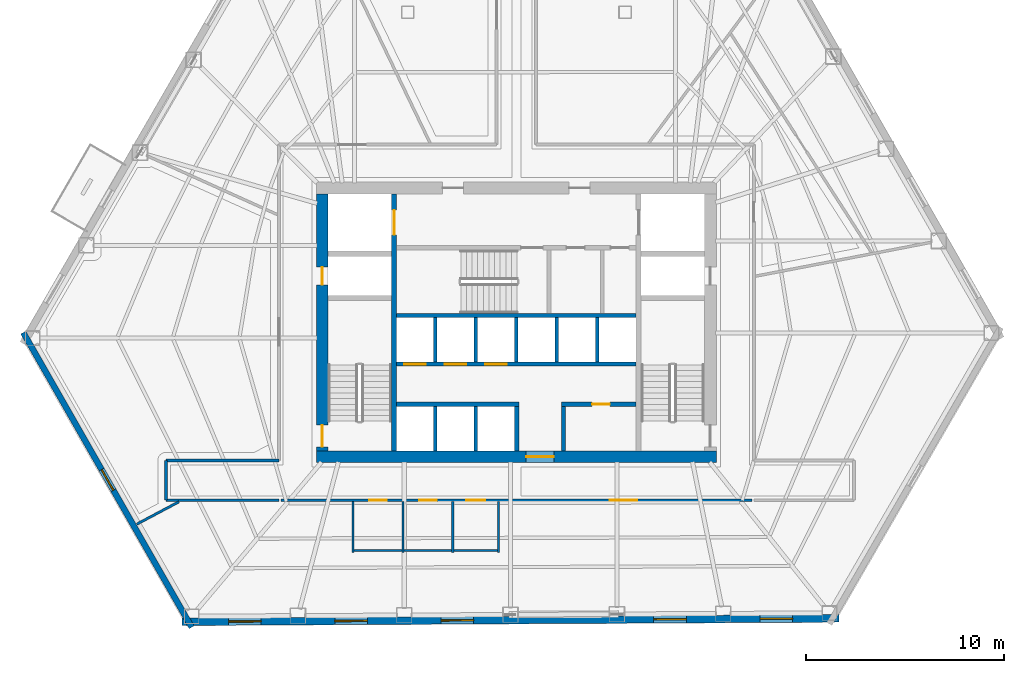
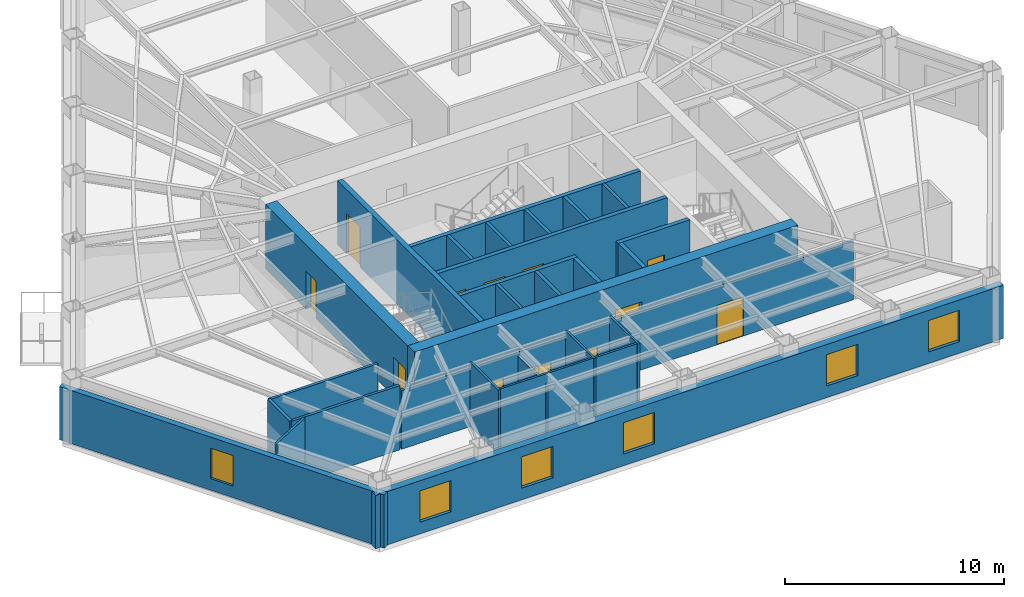
# One storey, part 6 of 11: 28 walls, 12 doors, 6 windows, 18 openings.
"""IFC4 building model written with IfcOpenShell, lengths in metres."""

from ifc_helpers import new_model, si_unit, direction, frame, frame_2d, origin, place, context, subcontext, project, spatial, rectangle, extrude, material, layer, layer_set, type_object, element, fill, save


model = new_model("IFC4")

# Units and contexts
model_context = context("Model", 3, precision=1e-05, world=origin(), true_north=direction((0.0, 1.0)))
body_context = subcontext(model_context, "Body", "Model", "MODEL_VIEW")
ifc_project = project(units=[si_unit("LENGTHUNIT", "METRE"), si_unit("AREAUNIT", "SQUARE_METRE"), si_unit("VOLUMEUNIT", "CUBIC_METRE"), si_unit("PLANEANGLEUNIT", "RADIAN"), si_unit("MASSUNIT", "GRAM", prefix="KILO")], contexts=[model_context])

# Site, building, storey
site_placement = place(None, origin())
site = spatial("IfcSite", under=ifc_project, at=site_placement, CompositionType="ELEMENT")
building_placement = place(site_placement, origin())
building = spatial("IfcBuilding", under=site, at=building_placement, Name="Kavelnor Concourse Tower", CompositionType="ELEMENT")
storey_placement = place(building_placement, frame((0.0, 0.0, 9.85009765625)))
storey = spatial("IfcBuildingStorey", under=building, at=storey_placement, Name="L02", CompositionType="ELEMENT", Elevation=9.85009765625)

# Wall, opening, door
ifc_material_1 = material(Name="Concrete C60/75", Category="concrete")
ifc_layer_1 = layer(ifc_material_1, 0.60009765625, Name="Concrete C60/75")
ifc_layer_set_1 = layer_set([ifc_layer_1], Name="Concrete C60/75")
wall_type_1 = type_object("IfcWallType", Name="WL-CORE-Z1-600", PredefinedType="SOLIDWALL", material=ifc_layer_set_1)
wall_1_placement = place(storey_placement, frame((27.8798828125, 9.300048828125, 0.0), z_axis=(0.0, 0.0, 1.0), x_axis=(1.0, 0.0, 0.0)))
wall_1 = element("IfcWall", 1, at=wall_1_placement, inside=storey, type_object=wall_type_1, Name="L02 Central Core South Shear Wall", PredefinedType="SOLIDWALL", context=body_context, shape_type="SweptSolid", body=[
    extrude(rectangle(XDim=20.240234375, YDim=0.60009765625, at=frame_2d((10.1201171875, 0.0))), origin(), (0.0, 0.0, 1.0), 3.58984375),
])
opening_1_placement = place(wall_1_placement, frame((10.6201171875, 0.0, 0.0)))
opening_1 = element("IfcOpeningElement", 2, at=opening_1_placement, cuts=wall_1, Name="Opening SD-140", PredefinedType="OPENING", context=body_context, shape_type="SweptSolid", body=[
    extrude(rectangle(XDim=1.39990234375, YDim=2.199951171875, at=frame_2d((0.699951171875, 1.10009765625))), frame((0.0, 0.31005859375, 0.0), z_axis=(0.0, -1.0, 0.0), x_axis=(1.0, 0.0, 0.0)), (0.0, 0.0, 1.0), 0.6201171875),
])
ifc_material_2 = material(Name="Solid-core hardwood timber", Category="wood")
door_type_1 = type_object("IfcDoorType", Name="DR-SUITE-ENTRY-1400", OperationType="NOTDEFINED", PredefinedType="DOOR", material=ifc_material_2)
door_1_placement = place(opening_1_placement, origin())
door_1 = element("IfcDoor", 3, at=door_1_placement, inside=storey, type_object=door_type_1, Name="L02 Passenger Lift Lobby Entry Door", OperationType="SINGLE_SWING_LEFT", OverallHeight=2.199951171875, OverallWidth=1.39990234375, PredefinedType="DOOR", context=body_context, shape_type="SweptSolid", body=[
    extrude(rectangle(XDim=1.39990234375, YDim=2.199951171875, at=frame_2d((0.699951171875, 1.10009765625))), frame((0.0, 0.02490234375, 0.0), z_axis=(0.0, -1.0, 0.0), x_axis=(1.0, 0.0, 0.0)), (0.0, 0.0, 1.0), 0.050048828125),
])
fill(opening_1, door_1)

# Wall, openings, doors
wall_2_placement = place(storey_placement, frame((28.179931640625, 9.60009765625, 0.0), z_axis=(0.0, 0.0, 1.0), x_axis=(0.0, 1.0, 0.0)))
wall_2 = element("IfcWall", 4, at=wall_2_placement, inside=storey, type_object=wall_type_1, Name="L02 Central Core West Shear Wall", PredefinedType="SOLIDWALL", context=body_context, shape_type="SweptSolid", body=[
    extrude(rectangle(XDim=13.0, YDim=0.60009765625, at=frame_2d((6.5, 0.0))), origin(), (0.0, 0.0, 1.0), 3.58984375),
])
opening_2_placement = place(wall_2_placement, frame((0.199951171875, 0.0, 0.0)))
opening_2 = element("IfcOpeningElement", 5, at=opening_2_placement, cuts=wall_2, Name="Opening FD-110", PredefinedType="OPENING", context=body_context, shape_type="SweptSolid", body=[
    extrude(rectangle(XDim=1.10009765625, YDim=2.14990234375, at=frame_2d((0.550048828125, 1.074951171875))), frame((0.0, 0.31005859375, 0.0), z_axis=(0.0, -1.0, 0.0), x_axis=(1.0, 0.0, 0.0)), (0.0, 0.0, 1.0), 0.6201171875),
])
opening_3_placement = place(wall_2_placement, frame((8.39990234375, 0.0, 0.0)))
opening_3 = element("IfcOpeningElement", 6, at=opening_3_placement, cuts=wall_2, Name="Opening FD-090", PredefinedType="OPENING", context=body_context, shape_type="SweptSolid", body=[
    extrude(rectangle(XDim=0.89990234375, YDim=2.10009765625, at=frame_2d((0.449951171875, 1.050048828125))), frame((0.0, 0.31005859375, 0.0), z_axis=(0.0, -1.0, 0.0), x_axis=(1.0, 0.0, 0.0)), (0.0, 0.0, 1.0), 0.6201171875),
])
ifc_material_3 = material(Name="Steel Grade 350", Category="steel")
door_type_2 = type_object("IfcDoorType", Name="DR-RISER-FIRE-900", OperationType="NOTDEFINED", PredefinedType="DOOR", material=ifc_material_3)
door_2_placement = place(opening_3_placement, origin())
door_2 = element("IfcDoor", 7, at=door_2_placement, inside=storey, type_object=door_type_2, Name="L02 West Riser Access Door", OperationType="SINGLE_SWING_RIGHT", OverallHeight=2.10009765625, OverallWidth=0.89990234375, PredefinedType="DOOR", context=body_context, shape_type="SweptSolid", body=[
    extrude(rectangle(XDim=0.89990234375, YDim=2.10009765625, at=frame_2d((0.449951171875, 1.050048828125))), frame((0.0, 0.02490234375, 0.0), z_axis=(0.0, -1.0, 0.0), x_axis=(1.0, 0.0, 0.0)), (0.0, 0.0, 1.0), 0.050048828125),
])
fill(opening_3, door_2)
door_type_3 = type_object("IfcDoorType", Name="DR-STAIR-FIRE-1100", OperationType="NOTDEFINED", PredefinedType="DOOR", material=ifc_material_3)
door_3_placement = place(opening_2_placement, origin())
door_3 = element("IfcDoor", 8, at=door_3_placement, inside=storey, type_object=door_type_3, Name="L02 Stair ST1 Fire Door", OperationType="SINGLE_SWING_LEFT", OverallHeight=2.14990234375, OverallWidth=1.10009765625, PredefinedType="DOOR", context=body_context, shape_type="SweptSolid", body=[
    extrude(rectangle(XDim=1.10009765625, YDim=2.14990234375, at=frame_2d((0.550048828125, 1.074951171875))), frame((0.0, 0.02490234375, 0.0), z_axis=(0.0, -1.0, 0.0), x_axis=(1.0, 0.0, 0.0)), (0.0, 0.0, 1.0), 0.050048828125),
])
fill(opening_2, door_3)

# Wall, opening, window
ifc_material_4 = material(Name="Buff ironspot clay face brick masonry", Category="masonry")
ifc_layer_2 = layer(ifc_material_4, 0.300048828125, Name="Buff ironspot clay face brick masonry")
ifc_layer_set_2 = layer_set([ifc_layer_2], Name="Buff ironspot clay face brick masonry")
wall_type_2 = type_object("IfcWallType", Name="WL-EXT-BUFF-BRICK-FOLD-300", PredefinedType="STANDARD", material=ifc_layer_set_2)
wall_3_placement = place(storey_placement, frame((21.569091796875, 0.668212890625, 0.0), z_axis=(0.0, 0.0, 1.0), x_axis=(-0.496201687206, 0.868207282631, 0.0)))
wall_3 = element("IfcWall", 9, at=wall_3_placement, inside=storey, type_object=wall_type_2, Name="L02 Exterior Brick Facade Wall E2", PredefinedType="STANDARD", context=body_context, shape_type="SweptSolid", body=[
    extrude(rectangle(XDim=17.178955078125, YDim=0.300048828125, at=frame_2d((8.58935546875, 0.0))), origin(), (0.0, 0.0, 1.0), 2.969970703125),
])
opening_4_placement = place(wall_3_placement, frame((7.9892578125, 0.0, 0.64990234375)))
opening_4 = element("IfcOpeningElement", 10, at=opening_4_placement, cuts=wall_3, Name="Opening W-05", PredefinedType="OPENING", context=body_context, shape_type="SweptSolid", body=[
    extrude(rectangle(XDim=1.199951171875, YDim=1.699951171875, at=frame_2d((0.60009765625, 0.85009765625))), frame((0.0, 0.16015625, 0.0), z_axis=(0.0, -1.0, 0.0), x_axis=(1.0, 0.0, 0.0)), (0.0, 0.0, 1.0), 0.320068359375),
])
ifc_material_5 = material(Name="Double low-E argon insulated glazing", Category="glass")
window_type_1 = type_object("IfcWindowType", Name="WIN-FOLD-1200", PartitioningType="SINGLE_PANEL", PredefinedType="WINDOW", material=ifc_material_5)
window_1_placement = place(opening_4_placement, origin())
window_1 = element("IfcWindow", 11, at=window_1_placement, inside=storey, type_object=window_type_1, Name="L02 Chamfer-Fold Facet Window C1", OverallHeight=1.699951171875, OverallWidth=1.199951171875, PartitioningType="SINGLE_PANEL", PredefinedType="WINDOW", context=body_context, shape_type="SweptSolid", body=[
    extrude(rectangle(XDim=1.199951171875, YDim=1.699951171875, at=frame_2d((0.60009765625, 0.85009765625))), frame((0.0, 0.030029296875, 0.0), z_axis=(0.0, -1.0, 0.0), x_axis=(1.0, 0.0, 0.0)), (0.0, 0.0, 1.0), 0.06005859375),
])
fill(opening_4, window_1)

# Wall, openings, windows
ifc_material_6 = material(Name="Red-ochre clay face brick masonry", Category="masonry")
ifc_layer_3 = layer(ifc_material_6, 0.3798828125, Name="Red-ochre clay face brick masonry")
ifc_layer_set_3 = layer_set([ifc_layer_3], Name="Red-ochre clay face brick masonry")
wall_type_3 = type_object("IfcWallType", Name="WL-EXT-RED-BRICK-PIER-380", PredefinedType="STANDARD", material=ifc_layer_set_3)
wall_4_placement = place(storey_placement, frame((54.323486328125, 1.116455078125, 0.0), z_axis=(0.0, 0.0, 1.0), x_axis=(-0.999986932019, -0.005112317502, 0.0)))
wall_4 = element("IfcWall", 12, at=wall_4_placement, inside=storey, type_object=wall_type_3, Name="L02 Exterior Brick Facade Wall E3", PredefinedType="STANDARD", context=body_context, shape_type="SweptSolid", body=[
    extrude(rectangle(XDim=33.23779296875, YDim=0.3798828125, at=frame_2d((16.618896484375, 0.0))), origin(), (0.0, 0.0, 1.0), 2.969970703125),
])
opening_5_placement = place(wall_4_placement, frame((29.2421875, 0.0, 0.64990234375)))
opening_5 = element("IfcOpeningElement", 13, at=opening_5_placement, cuts=wall_4, Name="Opening W-01", PredefinedType="OPENING", context=body_context, shape_type="SweptSolid", body=[
    extrude(rectangle(XDim=1.64990234375, YDim=1.75, at=frame_2d((0.824951171875, 0.875))), frame((0.0, 0.199951171875, 0.0), z_axis=(0.0, -1.0, 0.0), x_axis=(1.0, 0.0, 0.0)), (0.0, 0.0, 1.0), 0.39990234375),
])
opening_6_placement = place(wall_4_placement, frame((23.86181640625, 0.0, 0.64990234375)))
opening_6 = element("IfcOpeningElement", 14, at=opening_6_placement, cuts=wall_4, Name="Opening W-01", PredefinedType="OPENING", context=body_context, shape_type="SweptSolid", body=[
    extrude(rectangle(XDim=1.64990234375, YDim=1.75, at=frame_2d((0.824951171875, 0.875))), frame((0.0, 0.199951171875, 0.0), z_axis=(0.0, -1.0, 0.0), x_axis=(1.0, 0.0, 0.0)), (0.0, 0.0, 1.0), 0.39990234375),
])
opening_7_placement = place(wall_4_placement, frame((18.4814453125, 0.0, 0.64990234375)))
opening_7 = element("IfcOpeningElement", 15, at=opening_7_placement, cuts=wall_4, Name="Opening W-01", PredefinedType="OPENING", context=body_context, shape_type="SweptSolid", body=[
    extrude(rectangle(XDim=1.64990234375, YDim=1.75, at=frame_2d((0.824951171875, 0.875))), frame((0.0, 0.199951171875, 0.0), z_axis=(0.0, -1.0, 0.0), x_axis=(1.0, 0.0, 0.0)), (0.0, 0.0, 1.0), 0.39990234375),
])
opening_8_placement = place(wall_4_placement, frame((7.720703125, 0.0, 0.64990234375)))
opening_8 = element("IfcOpeningElement", 16, at=opening_8_placement, cuts=wall_4, Name="Opening W-01", PredefinedType="OPENING", context=body_context, shape_type="SweptSolid", body=[
    extrude(rectangle(XDim=1.64990234375, YDim=1.75, at=frame_2d((0.824951171875, 0.875))), frame((0.0, 0.199951171875, 0.0), z_axis=(0.0, -1.0, 0.0), x_axis=(1.0, 0.0, 0.0)), (0.0, 0.0, 1.0), 0.39990234375),
])
opening_9_placement = place(wall_4_placement, frame((2.34033203125, 0.0, 0.64990234375)))
opening_9 = element("IfcOpeningElement", 17, at=opening_9_placement, cuts=wall_4, Name="Opening W-01", PredefinedType="OPENING", context=body_context, shape_type="SweptSolid", body=[
    extrude(rectangle(XDim=1.64990234375, YDim=1.75, at=frame_2d((0.824951171875, 0.875))), frame((0.0, 0.199951171875, 0.0), z_axis=(0.0, -1.0, 0.0), x_axis=(1.0, 0.0, 0.0)), (0.0, 0.0, 1.0), 0.39990234375),
])
window_type_2 = type_object("IfcWindowType", Name="WIN-PIER-Z1-1800", PartitioningType="SINGLE_PANEL", PredefinedType="WINDOW", material=ifc_material_5)
window_2_placement = place(opening_5_placement, origin())
window_2 = element("IfcWindow", 18, at=window_2_placement, inside=storey, type_object=window_type_2, Name="L02 Deep-Set Brick Pier Window F1-B0", OverallHeight=1.75, OverallWidth=1.64990234375, PartitioningType="SINGLE_PANEL", PredefinedType="WINDOW", context=body_context, shape_type="SweptSolid", body=[
    extrude(rectangle(XDim=1.64990234375, YDim=1.75, at=frame_2d((0.824951171875, 0.875))), frame((0.0, 0.030029296875, 0.0), z_axis=(0.0, -1.0, 0.0), x_axis=(1.0, 0.0, 0.0)), (0.0, 0.0, 1.0), 0.06005859375),
])
fill(opening_5, window_2)
window_3_placement = place(opening_6_placement, origin())
window_3 = element("IfcWindow", 19, at=window_3_placement, inside=storey, type_object=window_type_2, Name="L02 Deep-Set Brick Pier Window F1-B1", OverallHeight=1.75, OverallWidth=1.64990234375, PartitioningType="SINGLE_PANEL", PredefinedType="WINDOW", context=body_context, shape_type="SweptSolid", body=[
    extrude(rectangle(XDim=1.64990234375, YDim=1.75, at=frame_2d((0.824951171875, 0.875))), frame((0.0, 0.030029296875, 0.0), z_axis=(0.0, -1.0, 0.0), x_axis=(1.0, 0.0, 0.0)), (0.0, 0.0, 1.0), 0.06005859375),
])
fill(opening_6, window_3)
window_4_placement = place(opening_7_placement, origin())
window_4 = element("IfcWindow", 20, at=window_4_placement, inside=storey, type_object=window_type_2, Name="L02 Deep-Set Brick Pier Window F1-B2", OverallHeight=1.75, OverallWidth=1.64990234375, PartitioningType="SINGLE_PANEL", PredefinedType="WINDOW", context=body_context, shape_type="SweptSolid", body=[
    extrude(rectangle(XDim=1.64990234375, YDim=1.75, at=frame_2d((0.824951171875, 0.875))), frame((0.0, 0.030029296875, 0.0), z_axis=(0.0, -1.0, 0.0), x_axis=(1.0, 0.0, 0.0)), (0.0, 0.0, 1.0), 0.06005859375),
])
fill(opening_7, window_4)
window_5_placement = place(opening_8_placement, origin())
window_5 = element("IfcWindow", 21, at=window_5_placement, inside=storey, type_object=window_type_2, Name="L02 Deep-Set Brick Pier Window F1-B4", OverallHeight=1.75, OverallWidth=1.64990234375, PartitioningType="SINGLE_PANEL", PredefinedType="WINDOW", context=body_context, shape_type="SweptSolid", body=[
    extrude(rectangle(XDim=1.64990234375, YDim=1.75, at=frame_2d((0.824951171875, 0.875))), frame((0.0, 0.030029296875, 0.0), z_axis=(0.0, -1.0, 0.0), x_axis=(1.0, 0.0, 0.0)), (0.0, 0.0, 1.0), 0.06005859375),
])
fill(opening_8, window_5)
window_6_placement = place(opening_9_placement, origin())
window_6 = element("IfcWindow", 22, at=window_6_placement, inside=storey, type_object=window_type_2, Name="L02 Deep-Set Brick Pier Window F1-B5", OverallHeight=1.75, OverallWidth=1.64990234375, PartitioningType="SINGLE_PANEL", PredefinedType="WINDOW", context=body_context, shape_type="SweptSolid", body=[
    extrude(rectangle(XDim=1.64990234375, YDim=1.75, at=frame_2d((0.824951171875, 0.875))), frame((0.0, 0.030029296875, 0.0), z_axis=(0.0, -1.0, 0.0), x_axis=(1.0, 0.0, 0.0)), (0.0, 0.0, 1.0), 0.06005859375),
])
fill(opening_9, window_6)

# Wall
ifc_material_7 = material(Name="Gypsum plasterboard on light-gauge steel studs", Category="steel")
ifc_layer_4 = layer(ifc_material_7, 0.14501953125, Name="Gypsum plasterboard on light-gauge steel studs")
ifc_layer_set_4 = layer_set([ifc_layer_4], Name="Gypsum plasterboard on light-gauge steel studs")
wall_type_4 = type_object("IfcWallType", Name="WL-INT-CORR-145", PredefinedType="PARTITIONING", material=ifc_layer_set_4)
wall_5_placement = place(storey_placement, frame((20.274658203125, 9.10009765625, 0.0), z_axis=(0.0, 0.0, 1.0), x_axis=(1.0, 0.0, 0.0)))
element("IfcWall", 23, at=wall_5_placement, inside=storey, type_object=wall_type_4, Name="L02 Corridor Wall WL-L02-CR-01", PredefinedType="PARTITIONING", context=body_context, shape_type="SweptSolid", body=[
    extrude(rectangle(XDim=5.705322265625, YDim=0.14501953125, at=frame_2d((2.8525390625, 0.0))), origin(), (0.0, 0.0, 1.0), 3.58984375),
])

# Wall, openings, doors
wall_6_placement = place(storey_placement, frame((49.919921875, 7.10009765625, 0.0), z_axis=(0.0, 0.0, 1.0), x_axis=(-1.0, 0.0, 0.0)))
wall_6 = element("IfcWall", 24, at=wall_6_placement, inside=storey, type_object=wall_type_4, Name="L02 Corridor Wall WL-L02-CR-12", PredefinedType="PARTITIONING", context=body_context, shape_type="SweptSolid", body=[
    extrude(rectangle(XDim=23.83984375, YDim=0.14501953125, at=frame_2d((11.919921875, 0.0))), origin(), (0.0, 0.0, 1.0), 3.27783203125),
])
opening_10_placement = place(wall_6_placement, frame((18.47998046875, 0.0, 0.0)))
opening_10 = element("IfcOpeningElement", 25, at=opening_10_placement, cuts=wall_6, Name="Opening WD-088", PredefinedType="OPENING", context=body_context, shape_type="SweptSolid", body=[
    extrude(rectangle(XDim=0.8798828125, YDim=2.10009765625, at=frame_2d((0.43994140625, 1.050048828125))), frame((0.0, 0.08251953125, 0.0), z_axis=(0.0, -1.0, 0.0), x_axis=(1.0, 0.0, 0.0)), (0.0, 0.0, 1.0), 0.1650390625),
])
opening_11_placement = place(wall_6_placement, frame((15.9599609375, 0.0, 0.0)))
opening_11 = element("IfcOpeningElement", 26, at=opening_11_placement, cuts=wall_6, Name="Opening WD-088", PredefinedType="OPENING", context=body_context, shape_type="SweptSolid", body=[
    extrude(rectangle(XDim=0.8798828125, YDim=2.10009765625, at=frame_2d((0.43994140625, 1.050048828125))), frame((0.0, 0.08251953125, 0.0), z_axis=(0.0, -1.0, 0.0), x_axis=(1.0, 0.0, 0.0)), (0.0, 0.0, 1.0), 0.1650390625),
])
opening_12_placement = place(wall_6_placement, frame((13.5, 0.0, 0.0)))
opening_12 = element("IfcOpeningElement", 27, at=opening_12_placement, cuts=wall_6, Name="Opening WD-096", PredefinedType="OPENING", context=body_context, shape_type="SweptSolid", body=[
    extrude(rectangle(XDim=0.9599609375, YDim=2.10009765625, at=frame_2d((0.47998046875, 1.050048828125))), frame((0.0, 0.08251953125, 0.0), z_axis=(0.0, -1.0, 0.0), x_axis=(1.0, 0.0, 0.0)), (0.0, 0.0, 1.0), 0.1650390625),
])
opening_13_placement = place(wall_6_placement, frame((5.800537109375, 0.0, 0.0)))
opening_13 = element("IfcOpeningElement", 28, at=opening_13_placement, cuts=wall_6, Name="Opening SD-140", PredefinedType="OPENING", context=body_context, shape_type="SweptSolid", body=[
    extrude(rectangle(XDim=1.39990234375, YDim=2.199951171875, at=frame_2d((0.699951171875, 1.10009765625))), frame((0.0, 0.08251953125, 0.0), z_axis=(0.0, -1.0, 0.0), x_axis=(1.0, 0.0, 0.0)), (0.0, 0.0, 1.0), 0.1650390625),
])
door_4_placement = place(opening_13_placement, origin())
door_4 = element("IfcDoor", 29, at=door_4_placement, inside=storey, type_object=door_type_1, Name="L02 Architectural Design Studio 06 Door", OperationType="SINGLE_SWING_LEFT", OverallHeight=2.199951171875, OverallWidth=1.39990234375, PredefinedType="DOOR", context=body_context, shape_type="SweptSolid", body=[
    extrude(rectangle(XDim=1.39990234375, YDim=2.199951171875, at=frame_2d((0.699951171875, 1.10009765625))), frame((0.0, 0.02490234375, 0.0), z_axis=(0.0, -1.0, 0.0), x_axis=(1.0, 0.0, 0.0)), (0.0, 0.0, 1.0), 0.050048828125),
])
fill(opening_13, door_4)
door_type_4 = type_object("IfcDoorType", Name="DR-WC-ACC-960", OperationType="NOTDEFINED", PredefinedType="DOOR", material=ifc_material_2)
door_5_placement = place(opening_12_placement, origin())
door_5 = element("IfcDoor", 30, at=door_5_placement, inside=storey, type_object=door_type_4, Name="L02 Accessible WC Door", OperationType="SINGLE_SWING_LEFT", OverallHeight=2.10009765625, OverallWidth=0.9599609375, PredefinedType="DOOR", context=body_context, shape_type="SweptSolid", body=[
    extrude(rectangle(XDim=0.9599609375, YDim=2.10009765625, at=frame_2d((0.47998046875, 1.050048828125))), frame((0.0, 0.02490234375, 0.0), z_axis=(0.0, -1.0, 0.0), x_axis=(1.0, 0.0, 0.0)), (0.0, 0.0, 1.0), 0.050048828125),
])
fill(opening_12, door_5)
door_type_5 = type_object("IfcDoorType", Name="DR-WC-STD-880", OperationType="NOTDEFINED", PredefinedType="DOOR", material=ifc_material_2)
door_6_placement = place(opening_10_placement, origin())
door_6 = element("IfcDoor", 31, at=door_6_placement, inside=storey, type_object=door_type_5, Name="L02 Male WC Door", OperationType="SINGLE_SWING_LEFT", OverallHeight=2.10009765625, OverallWidth=0.8798828125, PredefinedType="DOOR", context=body_context, shape_type="SweptSolid", body=[
    extrude(rectangle(XDim=0.8798828125, YDim=2.10009765625, at=frame_2d((0.43994140625, 1.050048828125))), frame((0.0, 0.02490234375, 0.0), z_axis=(0.0, -1.0, 0.0), x_axis=(1.0, 0.0, 0.0)), (0.0, 0.0, 1.0), 0.050048828125),
])
fill(opening_10, door_6)
door_7_placement = place(opening_11_placement, origin())
door_7 = element("IfcDoor", 32, at=door_7_placement, inside=storey, type_object=door_type_5, Name="L02 Female WC Door", OperationType="SINGLE_SWING_RIGHT", OverallHeight=2.10009765625, OverallWidth=0.8798828125, PredefinedType="DOOR", context=body_context, shape_type="SweptSolid", body=[
    extrude(rectangle(XDim=0.8798828125, YDim=2.10009765625, at=frame_2d((0.43994140625, 1.050048828125))), frame((0.0, 0.02490234375, 0.0), z_axis=(0.0, -1.0, 0.0), x_axis=(1.0, 0.0, 0.0)), (0.0, 0.0, 1.0), 0.050048828125),
])
fill(opening_11, door_7)

# Walls
wall_7_placement = place(storey_placement, frame((25.97998046875, 7.10009765625, 0.0), z_axis=(0.0, 0.0, 1.0), x_axis=(-1.0, 0.0, 0.0)))
element("IfcWall", 33, at=wall_7_placement, inside=storey, type_object=wall_type_4, Name="L02 Corridor Wall WL-L02-CR-13", PredefinedType="PARTITIONING", context=body_context, shape_type="SweptSolid", body=[
    extrude(rectangle(XDim=5.705322265625, YDim=0.14501953125, at=frame_2d((2.8525390625, 0.0))), origin(), (0.0, 0.0, 1.0), 3.58984375),
])
wall_8_placement = place(storey_placement, frame((20.274658203125, 7.10009765625, 0.0), z_axis=(0.0, 0.0, 1.0), x_axis=(0.0, 1.0, 0.0)))
element("IfcWall", 34, at=wall_8_placement, inside=storey, type_object=wall_type_4, Name="L02 Corridor Wall WL-L02-CR-14", PredefinedType="PARTITIONING", context=body_context, shape_type="SweptSolid", body=[
    extrude(rectangle(XDim=2.0, YDim=0.14501953125, at=frame_2d((1.0, 0.0))), origin(), (0.0, 0.0, 1.0), 3.58984375),
])
ifc_layer_5 = layer(ifc_material_7, 0.1650390625, Name="Gypsum plasterboard on light-gauge steel studs")
ifc_layer_set_5 = layer_set([ifc_layer_5], Name="Gypsum plasterboard on light-gauge steel studs")
wall_type_5 = type_object("IfcWallType", Name="WL-INT-FIRE-165", PredefinedType="PARTITIONING", material=ifc_layer_set_5)
for number, where, z_axis, x_axis, name in (
    (35, (33.89990234375, 9.60009765625, 0.0), (0.0, 0.0, 1.0), (0.0, 1.0, 0.0), "L02 Lift Shaft Divider LP7"),
    (36, (35.949951171875, 9.60009765625, 0.0), (0.0, 0.0, 1.0), (0.0, 1.0, 0.0), "L02 Lift Shaft Divider LP8"),
    (37, (33.89990234375, 14.10009765625, 0.0), (0.0, 0.0, 1.0), (0.0, 1.0, 0.0), "L02 Lift Shaft Divider LP1"),
    (38, (35.949951171875, 14.10009765625, 0.0), (0.0, 0.0, 1.0), (0.0, 1.0, 0.0), "L02 Lift Shaft Divider LP2"),
    (39, (38.0, 14.10009765625, 0.0), (0.0, 0.0, 1.0), (0.0, 1.0, 0.0), "L02 Lift Shaft Divider LP3"),
    (40, (40.050048828125, 14.10009765625, 0.0), (0.0, 0.0, 1.0), (0.0, 1.0, 0.0), "L02 Lift Shaft Divider LP4"),
    (41, (42.10009765625, 14.10009765625, 0.0), (0.0, 0.0, 1.0), (0.0, 1.0, 0.0), "L02 Lift Shaft Divider LP5"),
):
    element("IfcWall", number, at=place(storey_placement, frame(where, z_axis=z_axis, x_axis=x_axis)), inside=storey, type_object=wall_type_5, Name=name, PredefinedType="PARTITIONING", context=body_context, shape_type="SweptSolid", body=[
        extrude(rectangle(XDim=2.239990234375, YDim=0.1650390625, at=frame_2d((1.1201171875, 0.0))), origin(), (0.0, 0.0, 1.0), 3.58984375),
    ])
ifc_layer_6 = layer(ifc_material_7, 0.125, Name="Gypsum plasterboard on light-gauge steel studs")
ifc_layer_set_6 = layer_set([ifc_layer_6], Name="Gypsum plasterboard on light-gauge steel studs")
wall_type_6 = type_object("IfcWallType", Name="WL-INT-SUITE-125", PredefinedType="PARTITIONING", material=ifc_layer_set_6)
wall_9_placement = place(storey_placement, frame((20.922119140625, 7.01953125, 0.0), z_axis=(0.0, 0.0, 1.0), x_axis=(-0.882950818639, -0.469465495926, 0.0)))
element("IfcWall", 42, at=wall_9_placement, inside=storey, type_object=wall_type_6, Name="L02 Radial Suite Partition 05", PredefinedType="PARTITIONING", context=body_context, shape_type="SweptSolid", body=[
    extrude(rectangle(XDim=2.416015625, YDim=0.125, at=frame_2d((1.2080078125, 0.0))), origin(), (0.0, 0.0, 1.0), 3.58984375),
])
ifc_layer_7 = layer(ifc_material_7, 0.110107421875, Name="Gypsum plasterboard on light-gauge steel studs")
ifc_layer_set_7 = layer_set([ifc_layer_7], Name="Gypsum plasterboard on light-gauge steel studs")
wall_type_7 = type_object("IfcWallType", Name="WL-INT-WC-110", PredefinedType="PLUMBINGWALL", material=ifc_layer_set_7)
wall_10_placement = place(storey_placement, frame((29.739990234375, 4.449951171875, 0.0), z_axis=(0.0, 0.0, 1.0), x_axis=(0.0, 1.0, 0.0)))
element("IfcWall", 43, at=wall_10_placement, inside=storey, type_object=wall_type_7, Name="L02 Sanitary Partition WL-L02-WC-W", PredefinedType="PLUMBINGWALL", context=body_context, shape_type="SweptSolid", body=[
    extrude(rectangle(XDim=2.580078125, YDim=0.110107421875, at=frame_2d((1.2900390625, 0.0))), origin(), (0.0, 0.0, 1.0), 3.58984375),
])
wall_11_placement = place(storey_placement, frame((32.260009765625, 4.449951171875, 0.0), z_axis=(0.0, 0.0, 1.0), x_axis=(0.0, 1.0, 0.0)))
element("IfcWall", 44, at=wall_11_placement, inside=storey, type_object=wall_type_7, Name="L02 Sanitary Partition WL-L02-WC-D1", PredefinedType="PLUMBINGWALL", context=body_context, shape_type="SweptSolid", body=[
    extrude(rectangle(XDim=2.580078125, YDim=0.110107421875, at=frame_2d((1.2900390625, 0.0))), origin(), (0.0, 0.0, 1.0), 3.056884765625),
])
for number, where, z_axis, x_axis, name in (
    (45, (34.780029296875, 4.449951171875, 0.0), (0.0, 0.0, 1.0), (0.0, 1.0, 0.0), "L02 Sanitary Partition WL-L02-WC-D2"),
    (46, (37.10009765625, 4.449951171875, 0.0), (0.0, 0.0, 1.0), (0.0, 1.0, 0.0), "L02 Sanitary Partition WL-L02-WC-E"),
):
    element("IfcWall", number, at=place(storey_placement, frame(where, z_axis=z_axis, x_axis=x_axis)), inside=storey, type_object=wall_type_7, Name=name, PredefinedType="PLUMBINGWALL", context=body_context, shape_type="SweptSolid", body=[
        extrude(rectangle(XDim=2.580078125, YDim=0.110107421875, at=frame_2d((1.2900390625, 0.0))), origin(), (0.0, 0.0, 1.0), 3.58984375),
    ])
wall_12_placement = place(storey_placement, frame((29.68994140625, 4.550048828125, 0.0), z_axis=(0.0, 0.0, 1.0), x_axis=(1.0, 0.0, 0.0)))
element("IfcWall", 47, at=wall_12_placement, inside=storey, type_object=wall_type_7, Name="L02 Sanitary Partition WL-L02-WC-S", PredefinedType="PLUMBINGWALL", context=body_context, shape_type="SweptSolid", body=[
    extrude(rectangle(XDim=7.4599609375, YDim=0.110107421875, at=frame_2d((3.72998046875, 0.0))), origin(), (0.0, 0.0, 1.0), 3.58984375),
])
ifc_material_8 = material(Name="Concrete C50/60", Category="concrete")
ifc_layer_8 = layer(ifc_material_8, 0.219970703125, Name="Concrete C50/60")
ifc_layer_set_8 = layer_set([ifc_layer_8], Name="Concrete C50/60")
wall_type_8 = type_object("IfcWallType", Name="WL-SHAFT-220", PredefinedType="SOLIDWALL", material=ifc_layer_set_8)
wall_13_placement = place(storey_placement, frame((31.93994140625, 16.449951171875, 0.0), z_axis=(0.0, 0.0, 1.0), x_axis=(1.0, 0.0, 0.0)))
element("IfcWall", 48, at=wall_13_placement, inside=storey, type_object=wall_type_8, Name="L02 Stair ST3 South Core Wall", PredefinedType="SOLIDWALL", context=body_context, shape_type="SweptSolid", body=[
    extrude(rectangle(XDim=12.1201171875, YDim=0.219970703125, at=frame_2d((6.06005859375, 0.0))), origin(), (0.0, 0.0, 1.0), 3.58984375),
])

# Wall, openings, doors
wall_14_placement = place(storey_placement, frame((31.93994140625, 13.989990234375, 0.0), z_axis=(0.0, 0.0, 1.0), x_axis=(1.0, 0.0, 0.0)))
wall_14 = element("IfcWall", 49, at=wall_14_placement, inside=storey, type_object=wall_type_8, Name="L02 North Lift Row Shaft Wall", PredefinedType="SOLIDWALL", context=body_context, shape_type="SweptSolid", body=[
    extrude(rectangle(XDim=12.1201171875, YDim=0.219970703125, at=frame_2d((6.06005859375, 0.0))), origin(), (0.0, 0.0, 1.0), 3.58984375),
])
opening_14_placement = place(wall_14_placement, frame((0.385009765625, 0.0, 0.0)))
opening_14 = element("IfcOpeningElement", 50, at=opening_14_placement, cuts=wall_14, Name="Opening LD-110", PredefinedType="OPENING", context=body_context, shape_type="SweptSolid", body=[
    extrude(rectangle(XDim=1.10009765625, YDim=2.199951171875, at=frame_2d((0.550048828125, 1.10009765625))), frame((0.0, 0.1201171875, 0.0), z_axis=(0.0, -1.0, 0.0), x_axis=(1.0, 0.0, 0.0)), (0.0, 0.0, 1.0), 0.239990234375),
])
opening_15_placement = place(wall_14_placement, frame((2.43505859375, 0.0, 0.0)))
opening_15 = element("IfcOpeningElement", 51, at=opening_15_placement, cuts=wall_14, Name="Opening LD-110", PredefinedType="OPENING", context=body_context, shape_type="SweptSolid", body=[
    extrude(rectangle(XDim=1.10009765625, YDim=2.199951171875, at=frame_2d((0.550048828125, 1.10009765625))), frame((0.0, 0.1201171875, 0.0), z_axis=(0.0, -1.0, 0.0), x_axis=(1.0, 0.0, 0.0)), (0.0, 0.0, 1.0), 0.239990234375),
])
opening_16_placement = place(wall_14_placement, frame((4.485107421875, 0.0, 0.0)))
opening_16 = element("IfcOpeningElement", 52, at=opening_16_placement, cuts=wall_14, Name="Opening LD-110", PredefinedType="OPENING", context=body_context, shape_type="SweptSolid", body=[
    extrude(rectangle(XDim=1.10009765625, YDim=2.199951171875, at=frame_2d((0.550048828125, 1.10009765625))), frame((0.0, 0.1201171875, 0.0), z_axis=(0.0, -1.0, 0.0), x_axis=(1.0, 0.0, 0.0)), (0.0, 0.0, 1.0), 0.239990234375),
])
door_type_6 = type_object("IfcDoorType", Name="DR-LIFT-SLIDING-1100", OperationType="NOTDEFINED", PredefinedType="DOOR", material=ifc_material_3)
door_8_placement = place(opening_14_placement, origin())
door_8 = element("IfcDoor", 53, at=door_8_placement, inside=storey, type_object=door_type_6, Name="L02 Lift LP1 Landing Door", OperationType="DOUBLE_DOOR_SLIDING", OverallHeight=2.199951171875, OverallWidth=1.10009765625, PredefinedType="DOOR", context=body_context, shape_type="SweptSolid", body=[
    extrude(rectangle(XDim=1.10009765625, YDim=2.199951171875, at=frame_2d((0.550048828125, 1.10009765625))), frame((0.0, 0.02490234375, 0.0), z_axis=(0.0, -1.0, 0.0), x_axis=(1.0, 0.0, 0.0)), (0.0, 0.0, 1.0), 0.050048828125),
])
fill(opening_14, door_8)
door_9_placement = place(opening_15_placement, origin())
door_9 = element("IfcDoor", 54, at=door_9_placement, inside=storey, type_object=door_type_6, Name="L02 Lift LP2 Landing Door", OperationType="DOUBLE_DOOR_SLIDING", OverallHeight=2.199951171875, OverallWidth=1.10009765625, PredefinedType="DOOR", context=body_context, shape_type="SweptSolid", body=[
    extrude(rectangle(XDim=1.10009765625, YDim=2.199951171875, at=frame_2d((0.550048828125, 1.10009765625))), frame((0.0, 0.02490234375, 0.0), z_axis=(0.0, -1.0, 0.0), x_axis=(1.0, 0.0, 0.0)), (0.0, 0.0, 1.0), 0.050048828125),
])
fill(opening_15, door_9)
door_10_placement = place(opening_16_placement, origin())
door_10 = element("IfcDoor", 55, at=door_10_placement, inside=storey, type_object=door_type_6, Name="L02 Lift LP3 Landing Door", OperationType="DOUBLE_DOOR_SLIDING", OverallHeight=2.199951171875, OverallWidth=1.10009765625, PredefinedType="DOOR", context=body_context, shape_type="SweptSolid", body=[
    extrude(rectangle(XDim=1.10009765625, YDim=2.199951171875, at=frame_2d((0.550048828125, 1.10009765625))), frame((0.0, 0.02490234375, 0.0), z_axis=(0.0, -1.0, 0.0), x_axis=(1.0, 0.0, 0.0)), (0.0, 0.0, 1.0), 0.050048828125),
])
fill(opening_16, door_10)

# Wall
wall_15_placement = place(storey_placement, frame((31.93994140625, 11.949951171875, 0.0), z_axis=(0.0, 0.0, 1.0), x_axis=(1.0, 0.0, 0.0)))
element("IfcWall", 56, at=wall_15_placement, inside=storey, type_object=wall_type_8, Name="L02 High-Rise Lift Bank North Wall", PredefinedType="SOLIDWALL", context=body_context, shape_type="SweptSolid", body=[
    extrude(rectangle(XDim=6.18994140625, YDim=0.219970703125, at=frame_2d((3.094970703125, 0.0))), origin(), (0.0, 0.0, 1.0), 3.58984375),
])

# Wall, opening, door
wall_16_placement = place(storey_placement, frame((40.280029296875, 11.949951171875, 0.0), z_axis=(0.0, 0.0, 1.0), x_axis=(1.0, 0.0, 0.0)))
wall_16 = element("IfcWall", 57, at=wall_16_placement, inside=storey, type_object=wall_type_8, Name="L02 Core South Support North Wall", PredefinedType="SOLIDWALL", context=body_context, shape_type="SweptSolid", body=[
    extrude(rectangle(XDim=3.780029296875, YDim=0.219970703125, at=frame_2d((1.89013671875, 0.0))), origin(), (0.0, 0.0, 1.0), 3.58984375),
])
opening_17_placement = place(wall_16_placement, frame((1.550048828125, 0.0, 0.0)))
opening_17 = element("IfcOpeningElement", 58, at=opening_17_placement, cuts=wall_16, Name="Opening FD-090", PredefinedType="OPENING", context=body_context, shape_type="SweptSolid", body=[
    extrude(rectangle(XDim=0.89990234375, YDim=2.10009765625, at=frame_2d((0.449951171875, 1.050048828125))), frame((0.0, 0.1201171875, 0.0), z_axis=(0.0, -1.0, 0.0), x_axis=(1.0, 0.0, 0.0)), (0.0, 0.0, 1.0), 0.239990234375),
])
door_11_placement = place(opening_17_placement, origin())
door_11 = element("IfcDoor", 59, at=door_11_placement, inside=storey, type_object=door_type_2, Name="L02 Core Utility Store Door", OperationType="SINGLE_SWING_LEFT", OverallHeight=2.10009765625, OverallWidth=0.89990234375, PredefinedType="DOOR", context=body_context, shape_type="SweptSolid", body=[
    extrude(rectangle(XDim=0.89990234375, YDim=2.10009765625, at=frame_2d((0.449951171875, 1.050048828125))), frame((0.0, 0.02490234375, 0.0), z_axis=(0.0, -1.0, 0.0), x_axis=(1.0, 0.0, 0.0)), (0.0, 0.0, 1.0), 0.050048828125),
])
fill(opening_17, door_11)

# Walls
for number, where, z_axis, x_axis, name in (
    (60, (38.02001953125, 9.60009765625, 0.0), (0.0, 0.0, 1.0), (0.0, 1.0, 0.0), "L02 Lift Lobby Throat West Wall"),
    (61, (40.389892578125, 9.60009765625, 0.0), (0.0, 0.0, 1.0), (0.0, 1.0, 0.0), "L02 Lift Lobby Throat East Wall"),
):
    element("IfcWall", number, at=place(storey_placement, frame(where, z_axis=z_axis, x_axis=x_axis)), inside=storey, type_object=wall_type_8, Name=name, PredefinedType="SOLIDWALL", context=body_context, shape_type="SweptSolid", body=[
        extrude(rectangle(XDim=2.239990234375, YDim=0.219970703125, at=frame_2d((1.1201171875, 0.0))), origin(), (0.0, 0.0, 1.0), 3.58984375),
    ])

# Wall, opening, door
ifc_layer_9 = layer(ifc_material_8, 0.260009765625, Name="Concrete C50/60")
ifc_layer_set_9 = layer_set([ifc_layer_9], Name="Concrete C50/60")
wall_type_9 = type_object("IfcWallType", Name="WL-SHAFT-260", PredefinedType="SHEAR", material=ifc_layer_set_9)
wall_17_placement = place(storey_placement, frame((31.81005859375, 9.60009765625, 0.0), z_axis=(0.0, 0.0, 1.0), x_axis=(0.0, 1.0, 0.0)))
wall_17 = element("IfcWall", 62, at=wall_17_placement, inside=storey, type_object=wall_type_9, Name="L02 Core West Wing Shear Wall", PredefinedType="SHEAR", context=body_context, shape_type="SweptSolid", body=[
    extrude(rectangle(XDim=13.0, YDim=0.260009765625, at=frame_2d((6.5, 0.0))), origin(), (0.0, 0.0, 1.0), 3.58984375),
])
opening_18_placement = place(wall_17_placement, frame((10.925048828125, 0.0, 0.0)))
opening_18 = element("IfcOpeningElement", 63, at=opening_18_placement, cuts=wall_17, Name="Opening LD-125", PredefinedType="OPENING", context=body_context, shape_type="SweptSolid", body=[
    extrude(rectangle(XDim=1.25, YDim=2.25, at=frame_2d((0.625, 1.125))), frame((0.0, 0.14013671875, 0.0), z_axis=(0.0, -1.0, 0.0), x_axis=(1.0, 0.0, 0.0)), (0.0, 0.0, 1.0), 0.280029296875),
])
door_type_7 = type_object("IfcDoorType", Name="DR-LIFT-SLIDING-1250", OperationType="NOTDEFINED", PredefinedType="DOOR", material=ifc_material_3)
door_12_placement = place(opening_18_placement, origin())
door_12 = element("IfcDoor", 64, at=door_12_placement, inside=storey, type_object=door_type_7, Name="L02 Emergency Lift FL1 Landing Door", OperationType="DOUBLE_DOOR_SLIDING", OverallHeight=2.25, OverallWidth=1.25, PredefinedType="DOOR", context=body_context, shape_type="SweptSolid", body=[
    extrude(rectangle(XDim=1.25, YDim=2.25, at=frame_2d((0.625, 1.125))), frame((0.0, 0.02490234375, 0.0), z_axis=(0.0, -1.0, 0.0), x_axis=(1.0, 0.0, 0.0)), (0.0, 0.0, 1.0), 0.050048828125),
])
fill(opening_18, door_12)

save(model, "model.ifc")
